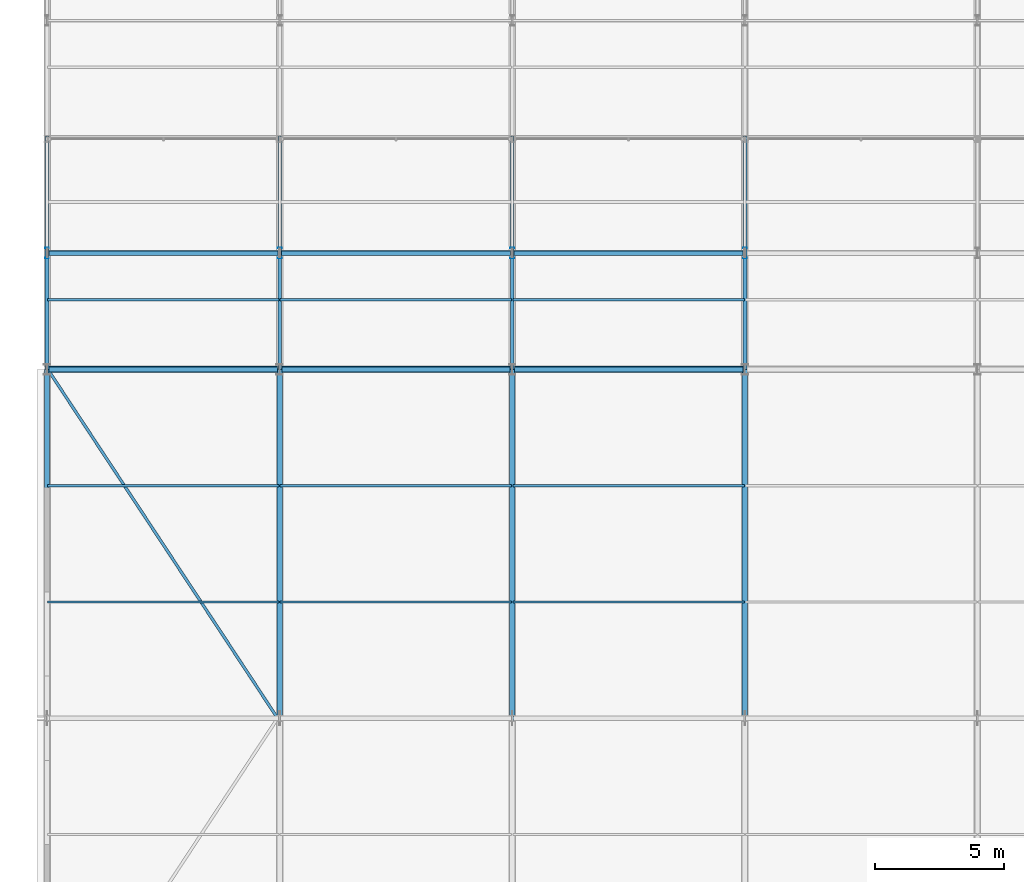
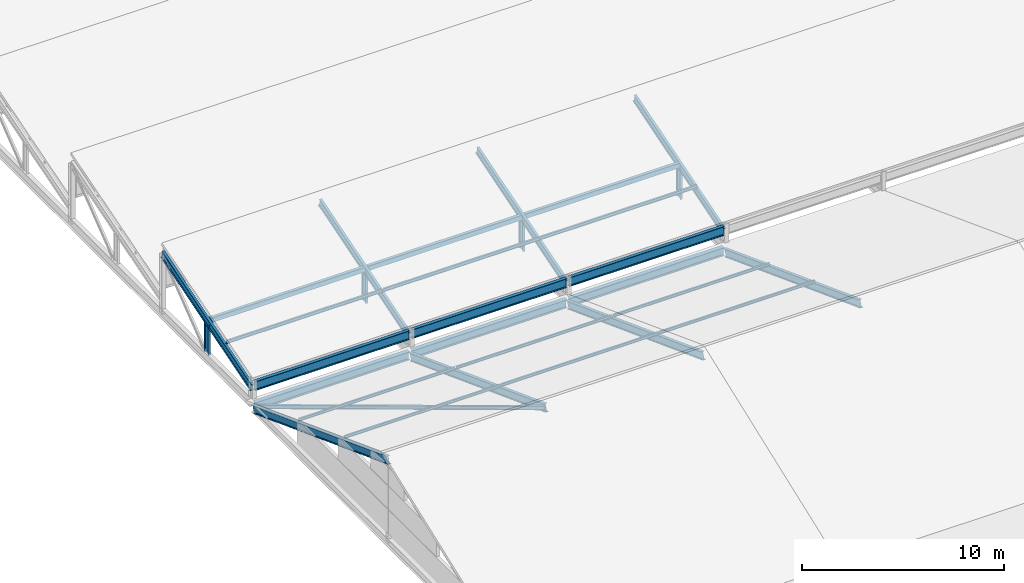
# One storey, part 35 of 163: 25 members, 6 beams.
"""IFC4 building model written with IfcOpenShell, lengths in metres."""

import ifcopenshell
import ifcopenshell.guid

model = None  # the IFC model being written
_history = None  # IfcOwnerHistory: only IFC2X3 demands one
_inside = {}  # id of a spatial element -> (the spatial element, [elements in it])
_under = {}  # id of a project, library or spatial element -> (it, [spatial elements below it])
_declared = {}  # id of a project -> (the project, [libraries it declares])
_typed = {}  # id of a type object -> (the type object, [elements of that type])
_made_of = {}  # id of a material, layer set ... -> (it, [elements and type objects made of it])


def new_model(schema):
    """Start an empty IFC model of exactly this schema.

    Asked for "IFC4X3", IfcOpenShell would pick the latest addendum, in which some entities
    have other attributes; the version numbers below select the first issue.
    IFC2X3 requires an IfcOwnerHistory on every rooted entity: one is made here for all.
    """
    global model, _history
    if schema == "IFC4X3":
        model = ifcopenshell.file(schema_version=(4, 3, 0, 0))
    else:
        model = ifcopenshell.file(schema=schema)
    _inside.clear()
    _under.clear()
    _declared.clear()
    _typed.clear()
    _made_of.clear()
    _history = None
    if model.schema == "IFC2X3":
        org = make("IfcOrganization", Name="unknown")
        user = make(
            "IfcPersonAndOrganization",
            ThePerson=make("IfcPerson", FamilyName="unknown"),
            TheOrganization=org,
        )
        app = make(
            "IfcApplication",
            ApplicationDeveloper=org,
            Version="unknown",
            ApplicationFullName="unknown",
            ApplicationIdentifier="unknown",
        )
        _history = make(
            "IfcOwnerHistory",
            OwningUser=user,
            OwningApplication=app,
            ChangeAction="ADDED",
            CreationDate=0,
        )
    return model


def make(cls, **values):
    """One entity of the class cls with the attributes given. An attribute that is None is left unset."""
    return model.create_entity(
        cls, **{name: value for name, value in values.items() if value is not None}
    )


def rooted(cls, **values):
    """An entity with a GlobalId (a new one), such as an element, a storey or a relation."""
    return make(cls, GlobalId=ifcopenshell.guid.new(), OwnerHistory=_history, **values)


def si_unit(unit_type, name, prefix=None):
    """IfcSIUnit, for example si_unit("LENGTHUNIT", "METRE", prefix="MILLI")."""
    return make("IfcSIUnit", UnitType=unit_type, Prefix=prefix, Name=name)


def assignment(units):
    """IfcUnitAssignment: the units of a project."""
    return None if units is None else make("IfcUnitAssignment", Units=units)


def point(xyz):
    """IfcCartesianPoint."""
    return None if xyz is None else make("IfcCartesianPoint", Coordinates=xyz)


def direction(xyz):
    """IfcDirection."""
    return None if xyz is None else make("IfcDirection", DirectionRatios=xyz)


def frame(location, z_axis=None, x_axis=None):
    """IfcAxis2Placement3D, a coordinate frame: its origin and axes. An axis left out is left unset."""
    return make(
        "IfcAxis2Placement3D",
        Location=point(location),
        Axis=direction(z_axis),
        RefDirection=direction(x_axis),
    )


def frame_2d(location, x_axis=None):
    """IfcAxis2Placement2D, a coordinate frame in the plane: its origin and x axis."""
    return make(
        "IfcAxis2Placement2D", Location=point(location), RefDirection=direction(x_axis)
    )


def origin():
    """The frame at (0, 0, 0) with its axes left unset."""
    return frame((0.0, 0.0, 0.0))


def origin_2d():
    """The frame at (0, 0) in the plane with its x axis left unset."""
    return frame_2d((0.0, 0.0))


def place(relative_to, where):
    """IfcLocalPlacement: puts the frame where relative to a parent placement (None: the world)."""
    return make(
        "IfcLocalPlacement", PlacementRelTo=relative_to, RelativePlacement=where
    )


def context(
    kind, dimensions, precision=None, world=None, true_north=None, identifier=None
):
    """IfcGeometricRepresentationContext, for example the 3D "Model" context."""
    return make(
        "IfcGeometricRepresentationContext",
        ContextIdentifier=identifier,
        ContextType=kind,
        CoordinateSpaceDimension=dimensions,
        Precision=precision,
        WorldCoordinateSystem=world,
        TrueNorth=true_north,
    )


def subcontext(parent, identifier, kind, view, scale=None):
    """IfcGeometricRepresentationSubContext, for example "Body" below "Model"."""
    return make(
        "IfcGeometricRepresentationSubContext",
        ContextIdentifier=identifier,
        ContextType=kind,
        ParentContext=parent,
        TargetScale=scale,
        TargetView=view,
    )


def project(units=None, contexts=None):
    """IfcProject with its units and contexts."""
    return rooted(
        "IfcProject",
        Name="project",
        RepresentationContexts=contexts,
        UnitsInContext=assignment(units),
    )


def spatial(cls, under=None, at=None, **own):
    """A site, building, storey or space (cls), placed at a placement, below another one or the project."""
    s = rooted(cls, ObjectPlacement=at, **own)
    if under is not None:
        _under.setdefault(under.id(), (under, []))[1].append(s)
    return s


def profile(cls, at=None, kind="AREA", **sizes):
    """A parametric profile (cls). Its sizes go by their IFC names, for example OverallWidth=200.0."""
    return make(cls, ProfileType=kind, Position=at, **sizes)


def hollow_rectangle(**sizes):
    """IfcRectangleHollowProfileDef."""
    return profile("IfcRectangleHollowProfileDef", **sizes)


def i_section(**sizes):
    """IfcIShapeProfileDef."""
    return profile("IfcIShapeProfileDef", **sizes)


def extrude(swept, where, along, depth):
    """IfcExtrudedAreaSolid: the profile swept, set in the frame where, extruded along a direction by depth."""
    return make(
        "IfcExtrudedAreaSolid",
        SweptArea=swept,
        Position=where,
        ExtrudedDirection=direction(along),
        Depth=depth,
    )


def shape(context_of_items, identifier, shape_type, items):
    """IfcShapeRepresentation: the items that make up one representation, for example the "Body"."""
    return make(
        "IfcShapeRepresentation",
        ContextOfItems=context_of_items,
        RepresentationIdentifier=identifier,
        RepresentationType=shape_type,
        Items=items,
    )


def material(Name=None, Category=None):
    """IfcMaterial."""
    return make("IfcMaterial", Name=Name, Category=Category)


def material_profile(
    of_material, cross_section, Name=None, Category=None, Priority=None
):
    """IfcMaterialProfile: a cross section and its material."""
    return make(
        "IfcMaterialProfile",
        Name=Name,
        Material=of_material,
        Profile=cross_section,
        Priority=Priority,
        Category=Category,
    )


def profile_set(profiles, Name=None, composite=None):
    """IfcMaterialProfileSet."""
    return make(
        "IfcMaterialProfileSet",
        Name=Name,
        MaterialProfiles=profiles,
        CompositeProfile=composite,
    )


def made_of(thing, what):
    """Note that an element or type object is made of a material, layer set ...; save() writes the relation."""
    if what is not None:
        _made_of.setdefault(what.id(), (what, []))[1].append(thing)
    return thing


def type_object(cls, material=None, **own):
    """A type object (cls), such as IfcWallType, which elements share."""
    return made_of(rooted(cls, **own), material)


def element(
    cls,
    number,
    at=None,
    inside=None,
    cuts=None,
    type_object=None,
    material=None,
    context=None,
    identifier="Body",
    shape_type=None,
    held_by="IfcProductDefinitionShape",
    body=None,
    shapes=None,
    **own,
):
    """One element of the class cls, such as IfcWall. Its Tag is "e" and its number.

    at: its placement. inside: the storey or other place that contains it. cuts: it is an
    opening in that element (IfcRelVoidsElement). A single representation is given by context,
    identifier, shape_type and body (its items); several are given by shapes. held_by: the class
    of the entity that holds the representations. save() writes the other relations.
    """
    e = rooted(cls, Tag="e%d" % number, ObjectPlacement=at, **own)
    if body is not None:
        shapes = [shape(context, identifier, shape_type, body)]
    if shapes is not None:
        e.Representation = make(held_by, Representations=shapes)
    if inside is not None:
        _inside.setdefault(inside.id(), (inside, []))[1].append(e)
    if cuts is not None:
        rooted(
            "IfcRelVoidsElement", RelatingBuildingElement=cuts, RelatedOpeningElement=e
        )
    if type_object is not None:
        _typed.setdefault(type_object.id(), (type_object, []))[1].append(e)
    return made_of(e, material)


def aggregate(whole, parts):
    """IfcRelAggregates: a whole, such as a stair, and the parts it consists of."""
    return rooted("IfcRelAggregates", RelatingObject=whole, RelatedObjects=parts)


def save(model, path):
    """Write the relations noted so far, then the file.

    IfcRelAggregates (storeys below a building ...), IfcRelContainedInSpatialStructure (elements
    in a storey), IfcRelDefinesByType, IfcRelAssociatesMaterial and IfcRelDeclares: one each for
    every whole, place, type object, material and project.
    """
    for whole, parts in _under.values():
        aggregate(whole, parts)
    for where, things in _inside.values():
        rooted(
            "IfcRelContainedInSpatialStructure",
            RelatedElements=things,
            RelatingStructure=where,
        )
    for kind, things in _typed.values():
        rooted("IfcRelDefinesByType", RelatedObjects=things, RelatingType=kind)
    for what, things in _made_of.values():
        rooted("IfcRelAssociatesMaterial", RelatedObjects=things, RelatingMaterial=what)
    for by, libraries in _declared.values():
        rooted("IfcRelDeclares", RelatingContext=by, RelatedDefinitions=libraries)
    model.write(path)


model = new_model("IFC4")

# Units and contexts
model_context = context("Model", 3, precision=1e-05, world=origin(), true_north=direction((0.0, 1.0)))
body_context = subcontext(model_context, "Body", "Model", "MODEL_VIEW")
ifc_project = project(units=[si_unit("LENGTHUNIT", "METRE"), si_unit("AREAUNIT", "SQUARE_METRE"), si_unit("VOLUMEUNIT", "CUBIC_METRE"), si_unit("PLANEANGLEUNIT", "RADIAN"), si_unit("MASSUNIT", "GRAM", prefix="KILO")], contexts=[model_context])

# Site, building, storey
site_placement = place(None, origin())
site = spatial("IfcSite", under=ifc_project, at=site_placement, CompositionType="ELEMENT")
building_placement = place(site_placement, origin())
building = spatial("IfcBuilding", under=site, at=building_placement, Name="Tharagai Park Tramway Depot", CompositionType="ELEMENT")
storey_placement = place(building_placement, frame((0.0, 0.0, 8.39990234375)))
storey = spatial("IfcBuildingStorey", under=building, at=storey_placement, Name="L02", CompositionType="ELEMENT", Elevation=8.39990234375)

# Beams
ifc_material_1 = material(Name="Steel E350", Category="steel")
ifc_material_profile_1 = material_profile(ifc_material_1, i_section(OverallWidth=0.25, OverallDepth=0.5, WebThickness=0.010009765625, FlangeThickness=0.0146484375, FilletRadius=0.014892578125, at=origin_2d()), Name="ISWB 500")
ifc_profile_set_1 = profile_set([ifc_material_profile_1], Name="Steel E350")
beam_type_1 = type_object("IfcBeamType", Name="BM-08", PredefinedType="BEAM", material=ifc_profile_set_1)
for number, where, z_axis, x_axis, name in (
    (1, (0.080078125, 90.0, -0.5), (1.0, 0.0, 0.0), (0.0, 1.0, 0.0), "V2B Roof Eave Girder BM-08"),
    (2, (9.080078125, 90.0, -0.5), (1.0, 0.0, 0.0), (0.0, 1.0, 0.0), "V2B Roof Eave Girder BM-08"),
    (3, (18.080078125, 90.0, -0.5), (1.0, 0.0, 0.0), (0.0, 1.0, 0.0), "V2B Roof Eave Girder BM-08"),
):
    element("IfcBeam", number, at=place(storey_placement, frame(where, z_axis=z_axis, x_axis=x_axis)), inside=storey, type_object=beam_type_1, Name=name, PredefinedType="BEAM", context=body_context, shape_type="SweptSolid", body=[
        extrude(i_section(OverallWidth=0.25, OverallDepth=0.5, WebThickness=0.010009765625, FlangeThickness=0.0146484375, FilletRadius=0.014892578125, at=origin_2d()), origin(), (0.0, 0.0, 1.0), 8.83984375),
    ])
ifc_material_profile_2 = material_profile(ifc_material_1, i_section(OverallWidth=0.18994140625, OverallDepth=0.550048828125, WebThickness=0.01123046875, FlangeThickness=0.019287109375, FilletRadius=0.01806640625, at=origin_2d()), Name="ISMB 550")
ifc_profile_set_2 = profile_set([ifc_material_profile_2], Name="Steel E350")
beam_type_2 = type_object("IfcBeamType", Name="BM-09", PredefinedType="BEAM", material=ifc_profile_set_2)
for number, where, z_axis, x_axis, name in (
    (4, (0.080078125, 90.0, 0.72509765625), (1.0, 0.0, 0.0), (0.0, 1.0, 0.0), "Sawtooth Valley Girder BM-09"),
    (5, (9.080078125, 90.0, 0.72509765625), (1.0, 0.0, 0.0), (0.0, 1.0, 0.0), "Sawtooth Valley Girder BM-09"),
    (6, (18.080078125, 90.0, 0.72509765625), (1.0, 0.0, 0.0), (0.0, 1.0, 0.0), "Sawtooth Valley Girder BM-09"),
):
    element("IfcBeam", number, at=place(storey_placement, frame(where, z_axis=z_axis, x_axis=x_axis)), inside=storey, type_object=beam_type_2, Name=name, PredefinedType="BEAM", context=body_context, shape_type="SweptSolid", body=[
        extrude(i_section(OverallWidth=0.18994140625, OverallDepth=0.550048828125, WebThickness=0.01123046875, FlangeThickness=0.019287109375, FilletRadius=0.01806640625, at=origin_2d()), origin(), (0.0, 0.0, 1.0), 8.83984375),
    ])

# Members
ifc_material_profile_3 = material_profile(ifc_material_1, i_section(OverallWidth=0.110107421875, OverallDepth=0.22509765625, WebThickness=0.006591796875, FlangeThickness=0.01171875, FilletRadius=0.011962890625, at=origin_2d()), Name="ISMB 225")
ifc_profile_set_3 = profile_set([ifc_material_profile_3], Name="Steel E350")
member_type_1 = type_object("IfcMemberType", Name="BR-04", PredefinedType="BRACE", material=ifc_profile_set_3)
member_placement = place(storey_placement, frame((0.080078125, 89.919921875, -0.5), z_axis=(0.525522954926, -0.797805617167, 0.295519578139), x_axis=(0.83510413753, 0.550091882762, 0.0)))
element("IfcMember", 7, at=member_placement, inside=storey, type_object=member_type_1, Name="V2B Roof Wind Brace BR-04", PredefinedType="BRACE", context=body_context, shape_type="SweptSolid", body=[
    extrude(i_section(OverallWidth=0.110107421875, OverallDepth=0.22509765625, WebThickness=0.006591796875, FlangeThickness=0.01171875, FilletRadius=0.011962890625, at=origin_2d()), origin(), (0.0, 0.0, 1.0), 16.821044921875),
])
ifc_material_2 = material(Name="Steel E250", Category="steel")
ifc_material_profile_4 = material_profile(ifc_material_2, i_section(OverallWidth=0.090087890625, OverallDepth=0.175048828125, WebThickness=0.005615234375, FlangeThickness=0.009033203125, FilletRadius=0.010009765625, at=origin_2d()), Name="ISMB 175")
ifc_profile_set_4 = profile_set([ifc_material_profile_4], Name="Steel E250")
member_type_2 = type_object("IfcMemberType", Name="PR-01", PredefinedType="PURLIN", material=ifc_profile_set_4)
for number, where, z_axis, x_axis, name in (
    (8, (0.02001953125, 85.5, 1.398681640625), (1.0, 0.0, 0.0), (0.0, 1.0, 0.0), "V2B Roof Purlin PR-01"),
    (9, (0.02001953125, 81.0, 3.0810546875), (1.0, 0.0, 0.0), (0.0, 1.0, 0.0), "V2B Roof Purlin PR-01"),
    (10, (9.02001953125, 85.5, 1.398681640625), (1.0, 0.0, 0.0), (0.0, 1.0, 0.0), "V2B Roof Purlin PR-01"),
    (11, (9.02001953125, 81.0, 3.0810546875), (1.0, 0.0, 0.0), (0.0, 1.0, 0.0), "V2B Roof Purlin PR-01"),
    (12, (18.02001953125, 85.5, 1.398681640625), (1.0, 0.0, 0.0), (0.0, 1.0, 0.0), "V2B Roof Purlin PR-01"),
    (13, (18.02001953125, 81.0, 3.0810546875), (1.0, 0.0, 0.0), (0.0, 1.0, 0.0), "V2B Roof Purlin PR-01"),
):
    element("IfcMember", number, at=place(storey_placement, frame(where, z_axis=z_axis, x_axis=x_axis)), inside=storey, type_object=member_type_2, Name=name, PredefinedType="PURLIN", context=body_context, shape_type="SweptSolid", body=[
        extrude(i_section(OverallWidth=0.090087890625, OverallDepth=0.175048828125, WebThickness=0.005615234375, FlangeThickness=0.009033203125, FilletRadius=0.010009765625, at=origin_2d()), origin(), (0.0, 0.0, 1.0), 8.9599609375),
    ])
ifc_material_profile_5 = material_profile(ifc_material_2, i_section(OverallWidth=0.10009765625, OverallDepth=0.199951171875, WebThickness=0.005615234375, FlangeThickness=0.0107421875, FilletRadius=0.010986328125, at=origin_2d()), Name="ISMB 200")
ifc_profile_set_5 = profile_set([ifc_material_profile_5], Name="Steel E250")
member_type_3 = type_object("IfcMemberType", Name="PR-04", PredefinedType="PURLIN", material=ifc_profile_set_5)
for number, where, z_axis, x_axis, name in (
    (14, (0.02001953125, 92.699951171875, 1.733154296875), (1.0, 0.0, 0.0), (0.0, 1.0, 0.0), "Sawtooth Roof Purlin PR-04"),
    (15, (9.02001953125, 92.699951171875, 1.733154296875), (1.0, 0.0, 0.0), (0.0, 1.0, 0.0), "Sawtooth Roof Purlin PR-04"),
    (16, (18.02001953125, 92.699951171875, 1.733154296875), (1.0, 0.0, 0.0), (0.0, 1.0, 0.0), "Sawtooth Roof Purlin PR-04"),
):
    element("IfcMember", number, at=place(storey_placement, frame(where, z_axis=z_axis, x_axis=x_axis)), inside=storey, type_object=member_type_3, Name=name, PredefinedType="PURLIN", context=body_context, shape_type="SweptSolid", body=[
        extrude(i_section(OverallWidth=0.10009765625, OverallDepth=0.199951171875, WebThickness=0.005615234375, FlangeThickness=0.0107421875, FilletRadius=0.010986328125, at=origin_2d()), origin(), (0.0, 0.0, 1.0), 8.9599609375),
    ])
ifc_material_profile_6 = material_profile(ifc_material_1, i_section(OverallWidth=0.199951171875, OverallDepth=0.449951171875, WebThickness=0.00927734375, FlangeThickness=0.015380859375, FilletRadius=0.014892578125, at=origin_2d()), Name="ISWB 450")
ifc_profile_set_6 = profile_set([ifc_material_profile_6], Name="Steel E350")
member_type_4 = type_object("IfcMemberType", Name="RF-03", PredefinedType="RAFTER", material=ifc_profile_set_6)
for number, where, z_axis, x_axis, name in (
    (17, (0.0, 76.5, 4.446044921875), (0.0, 0.936246041069, -0.35134505914), (-1.0, 0.0, 0.0), "V2B Pitched Rafter RF-03 North"),
    (18, (9.0, 76.5, 4.446044921875), (0.0, 0.936246041069, -0.35134505914), (-1.0, 0.0, 0.0), "V2B Pitched Rafter RF-03 North"),
    (19, (18.0, 76.5, 4.446044921875), (0.0, 0.936246041069, -0.35134505914), (-1.0, 0.0, 0.0), "V2B Pitched Rafter RF-03 North"),
    (20, (27.0, 76.5, 4.446044921875), (0.0, 0.936246041069, -0.35134505914), (-1.0, 0.0, 0.0), "V2B Pitched Rafter RF-03 North"),
):
    element("IfcMember", number, at=place(storey_placement, frame(where, z_axis=z_axis, x_axis=x_axis)), inside=storey, type_object=member_type_4, Name=name, PredefinedType="RAFTER", context=body_context, shape_type="SweptSolid", body=[
        extrude(i_section(OverallWidth=0.199951171875, OverallDepth=0.449951171875, WebThickness=0.00927734375, FlangeThickness=0.015380859375, FilletRadius=0.014892578125, at=origin_2d()), origin(), (0.0, 0.0, 1.0), 14.36572265625),
    ])
ifc_material_profile_7 = material_profile(ifc_material_1, hollow_rectangle(XDim=0.199951171875, YDim=0.300048828125, WallThickness=0.010009765625, InnerFilletRadius=0.010009765625, OuterFilletRadius=0.02001953125, at=origin_2d()), Name="RHS 300x200x10")
ifc_profile_set_7 = profile_set([ifc_material_profile_7], Name="Steel E350")
member_type_5 = type_object("IfcMemberType", Name="TC-01", PredefinedType="CHORD", material=ifc_profile_set_7)
for number, where, z_axis, x_axis, name in (
    (21, (0.02001953125, 94.5, 1.946533203125), (1.0, 0.0, 0.0), (0.0, 1.0, 0.0), "Sawtooth Tubular Tie Strut TC-01"),
    (22, (9.02001953125, 94.5, 1.946533203125), (1.0, 0.0, 0.0), (0.0, 1.0, 0.0), "Sawtooth Tubular Tie Strut TC-01"),
    (23, (18.02001953125, 94.5, 1.946533203125), (1.0, 0.0, 0.0), (0.0, 1.0, 0.0), "Sawtooth Tubular Tie Strut TC-01"),
):
    element("IfcMember", number, at=place(storey_placement, frame(where, z_axis=z_axis, x_axis=x_axis)), inside=storey, type_object=member_type_5, Name=name, PredefinedType="CHORD", context=body_context, shape_type="SweptSolid", body=[
        extrude(hollow_rectangle(XDim=0.199951171875, YDim=0.300048828125, WallThickness=0.010009765625, InnerFilletRadius=0.010009765625, OuterFilletRadius=0.02001953125, at=origin_2d()), origin(), (0.0, 0.0, 1.0), 8.9599609375),
    ])
ifc_material_profile_8 = material_profile(ifc_material_1, i_section(OverallWidth=0.14990234375, OverallDepth=0.449951171875, WebThickness=0.009521484375, FlangeThickness=0.017333984375, FilletRadius=0.014892578125, at=origin_2d()), Name="ISMB 450")
ifc_profile_set_8 = profile_set([ifc_material_profile_8], Name="Steel E350")
member_type_6 = type_object("IfcMemberType", Name="TC-05", PredefinedType="CHORD", material=ifc_profile_set_8)
for number, where, z_axis, x_axis, name in (
    (24, (0.0, 90.06005859375, 0.587890625), (0.0, 0.956231486327, 0.29261125159), (-1.0, 0.0, 0.0), "Sawtooth Top Chord TC-05"),
    (25, (9.0, 90.06005859375, 0.587890625), (0.0, 0.956231486327, 0.29261125159), (-1.0, 0.0, 0.0), "Sawtooth Top Chord TC-05"),
    (26, (18.0, 90.06005859375, 0.587890625), (0.0, 0.956231486327, 0.29261125159), (-1.0, 0.0, 0.0), "Sawtooth Top Chord TC-05"),
    (27, (27.0, 90.06005859375, 0.587890625), (0.0, 0.956231486327, 0.29261125159), (-1.0, 0.0, 0.0), "Sawtooth Top Chord TC-05"),
):
    element("IfcMember", number, at=place(storey_placement, frame(where, z_axis=z_axis, x_axis=x_axis)), inside=storey, type_object=member_type_6, Name=name, PredefinedType="CHORD", context=body_context, shape_type="SweptSolid", body=[
        extrude(i_section(OverallWidth=0.14990234375, OverallDepth=0.449951171875, WebThickness=0.009521484375, FlangeThickness=0.017333984375, FilletRadius=0.014892578125, at=origin_2d()), origin(), (0.0, 0.0, 1.0), 9.286376953125),
    ])
ifc_material_profile_9 = material_profile(ifc_material_1, i_section(OverallWidth=0.139892578125, OverallDepth=0.39990234375, WebThickness=0.0087890625, FlangeThickness=0.01611328125, FilletRadius=0.013916015625, at=origin_2d()), Name="ISMB 400")
ifc_profile_set_9 = profile_set([ifc_material_profile_9], Name="Steel E350")
member_type_7 = type_object("IfcMemberType", Name="TC-06", PredefinedType="CHORD", material=ifc_profile_set_9)
for number, where, z_axis, x_axis, name in (
    (28, (0.0, 94.5, -0.0498046875), (0.0, 0.0, 1.0), (1.0, 0.0, 0.0), "Sawtooth Mid-Tooth Strut TC-06"),
    (29, (9.0, 94.5, -0.0498046875), (0.0, 0.0, 1.0), (1.0, 0.0, 0.0), "Sawtooth Mid-Tooth Strut TC-06"),
    (30, (18.0, 94.5, -0.0498046875), (0.0, 0.0, 1.0), (1.0, 0.0, 0.0), "Sawtooth Mid-Tooth Strut TC-06"),
    (31, (27.0, 94.5, -0.0498046875), (0.0, 0.0, 1.0), (1.0, 0.0, 0.0), "Sawtooth Mid-Tooth Strut TC-06"),
):
    element("IfcMember", number, at=place(storey_placement, frame(where, z_axis=z_axis, x_axis=x_axis)), inside=storey, type_object=member_type_7, Name=name, PredefinedType="CHORD", context=body_context, shape_type="SweptSolid", body=[
        extrude(i_section(OverallWidth=0.139892578125, OverallDepth=0.39990234375, WebThickness=0.0087890625, FlangeThickness=0.01611328125, FilletRadius=0.013916015625, at=origin_2d()), origin(), (0.0, 0.0, 1.0), 1.846435546875),
    ])

save(model, "model.ifc")
